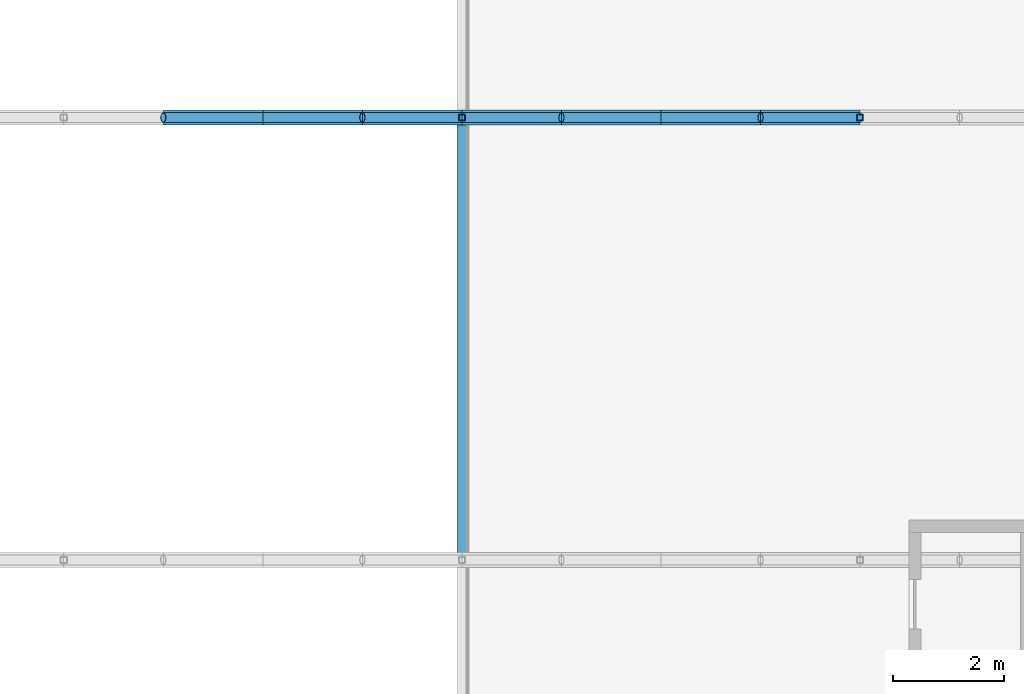
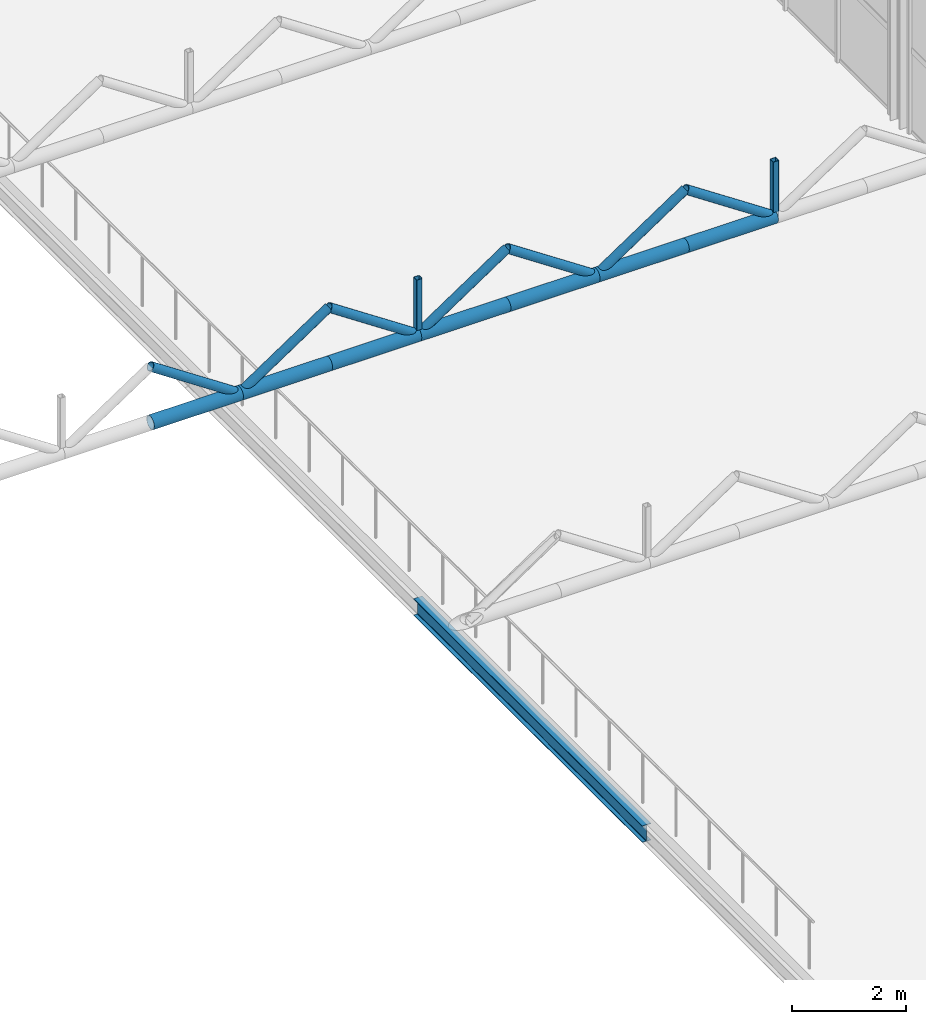
# One storey, part 88 of 153: 16 members, 1 beam.
"""IFC4 building model written with IfcOpenShell, lengths in metres."""

from ifc_helpers import new_model, si_unit, derived_unit, direction, frame, origin, origin_2d, place, context, subcontext, project, spatial, hollow_rectangle, hollow_circle, i_section, extrude, material, material_profile, profile_set, type_object, element, save


model = new_model("IFC4")

# Units and contexts
model_context = context("Model", 3, precision=1e-05, world=origin(), true_north=direction((0.0, 1.0)))
body_context = subcontext(model_context, "Body", "Model", "MODEL_VIEW")
ifc_project = project(units=[si_unit("LENGTHUNIT", "METRE"), si_unit("AREAUNIT", "SQUARE_METRE"), si_unit("VOLUMEUNIT", "CUBIC_METRE"), si_unit("PLANEANGLEUNIT", "RADIAN"), si_unit("MASSUNIT", "GRAM", prefix="KILO"), derived_unit("THERMALTRANSMITTANCEUNIT", [(si_unit("POWERUNIT", "WATT"), 1), (si_unit("LENGTHUNIT", "METRE"), -2), (si_unit("THERMODYNAMICTEMPERATUREUNIT", "KELVIN"), -1)])], contexts=[model_context])

# Site, building, storey
site_placement = place(None, origin())
site = spatial("IfcSite", under=ifc_project, at=site_placement, CompositionType="ELEMENT")
building_placement = place(site_placement, origin())
building = spatial("IfcBuilding", under=site, at=building_placement, Name="Keldorne Ridge Multi-Sports Centre", CompositionType="ELEMENT")
storey_placement = place(building_placement, frame((0.0, 0.0, 9.60009765625)))
storey = spatial("IfcBuildingStorey", under=building, at=storey_placement, Name="L02", CompositionType="ELEMENT", Elevation=9.60009765625)

# Beam
ifc_material = material(Name="Steel S355", Category="steel")
ifc_material_profile_1 = material_profile(ifc_material, i_section(OverallWidth=0.169921875, OverallDepth=0.360107421875, WebThickness=0.008056640625, FlangeThickness=0.0126953125, FilletRadius=0.01806640625, at=origin_2d()), Name="IPE 360")
ifc_profile_set_1 = profile_set([ifc_material_profile_1], Name="Steel S355")
beam_type = type_object("IfcBeamType", Name="BM-B-05", PredefinedType="BEAM", material=ifc_profile_set_1)
beam_placement = place(storey_placement, frame((27.60009765625, 82.0, -0.420166015625), z_axis=(0.0, 1.0, 0.0), x_axis=(-1.0, 0.0, 0.0)))
element("IfcBeam", 1, at=beam_placement, inside=storey, type_object=beam_type, Name="L02 climbing gallery girder 82", PredefinedType="BEAM", context=body_context, shape_type="SweptSolid", body=[
    extrude(i_section(OverallWidth=0.169921875, OverallDepth=0.360107421875, WebThickness=0.008056640625, FlangeThickness=0.0126953125, FilletRadius=0.01806640625, at=origin_2d()), origin(), (0.0, 0.0, 1.0), 8.0),
])

# Members
ifc_material_profile_2 = material_profile(ifc_material, hollow_circle(Radius=0.136474609375, WallThickness=0.012451171875, at=origin_2d()), Name="CHS 273x12.5")
ifc_profile_set_2 = profile_set([ifc_material_profile_2], Name="Steel S355")
member_type_1 = type_object("IfcMemberType", Name="MEM-TC-05", PredefinedType="CHORD", material=ifc_profile_set_2)
for number, where, z_axis, x_axis, name in (
    (2, (22.199951171875, 90.0, 5.3798828125), (1.0, 0.0, 0.0), (0.0, 1.0, 0.0), "Climbing sawtooth ROOF TRUSS ST-03 bottom chord 10"),
    (3, (24.0, 90.0, 5.3798828125), (1.0, 0.0, 0.0), (0.0, 1.0, 0.0), "Climbing sawtooth ROOF TRUSS ST-03 bottom chord 11"),
    (4, (25.800048828125, 90.0, 5.3798828125), (1.0, 0.0, 0.0), (0.0, 1.0, 0.0), "Climbing sawtooth ROOF TRUSS ST-03 bottom chord 12"),
):
    element("IfcMember", number, at=place(storey_placement, frame(where, z_axis=z_axis, x_axis=x_axis)), inside=storey, type_object=member_type_1, Name=name, PredefinedType="CHORD", context=body_context, shape_type="SweptSolid", body=[
        extrude(hollow_circle(Radius=0.136474609375, WallThickness=0.012451171875, at=origin_2d()), origin(), (0.0, 0.0, 1.0), 1.800048828125),
    ])
member_1_placement = place(storey_placement, frame((27.60009765625, 90.0, 5.3798828125), z_axis=(1.0, 0.0, 0.0), x_axis=(0.0, 1.0, 0.0)))
element("IfcMember", 5, at=member_1_placement, inside=storey, type_object=member_type_1, Name="Climbing sawtooth ROOF TRUSS ST-03 bottom chord 13", PredefinedType="CHORD", context=body_context, shape_type="SweptSolid", body=[
    extrude(hollow_circle(Radius=0.136474609375, WallThickness=0.012451171875, at=origin_2d()), origin(), (0.0, 0.0, 1.0), 1.7998046875),
])
for number, where, z_axis, x_axis, name in (
    (6, (29.39990234375, 90.0, 5.3798828125), (1.0, 0.0, 0.0), (0.0, 1.0, 0.0), "Climbing sawtooth ROOF TRUSS ST-03 bottom chord 14"),
    (7, (31.199951171875, 90.0, 5.3798828125), (1.0, 0.0, 0.0), (0.0, 1.0, 0.0), "Climbing sawtooth ROOF TRUSS ST-03 bottom chord 15"),
    (8, (33.0, 90.0, 5.3798828125), (1.0, 0.0, 0.0), (0.0, 1.0, 0.0), "Climbing sawtooth ROOF TRUSS ST-03 bottom chord 16"),
):
    element("IfcMember", number, at=place(storey_placement, frame(where, z_axis=z_axis, x_axis=x_axis)), inside=storey, type_object=member_type_1, Name=name, PredefinedType="CHORD", context=body_context, shape_type="SweptSolid", body=[
        extrude(hollow_circle(Radius=0.136474609375, WallThickness=0.012451171875, at=origin_2d()), origin(), (0.0, 0.0, 1.0), 1.800048828125),
    ])
ifc_material_profile_3 = material_profile(ifc_material, hollow_circle(Radius=0.0888671875, WallThickness=0.010009765625, at=origin_2d()), Name="CHS 177.8x10")
ifc_profile_set_3 = profile_set([ifc_material_profile_3], Name="Steel S355")
member_type_2 = type_object("IfcMemberType", Name="MEM-TD-03", PredefinedType="BRACE", material=ifc_profile_set_3)
for number, where, z_axis, x_axis, name in (
    (9, (22.199951171875, 90.0, 6.579833984375), (0.832067655982, 0.0, -0.554674152876), (0.0, 1.0, 0.0), "Climbing sawtooth web diagonal 03.10"),
    (10, (24.0, 90.0, 5.3798828125), (0.832067655982, 0.0, 0.554674152876), (0.0, 1.0, 0.0), "Climbing sawtooth web diagonal 03.11"),
    (11, (25.800048828125, 90.0, 6.579833984375), (0.832067655982, 0.0, -0.554674152876), (0.0, 1.0, 0.0), "Climbing sawtooth web diagonal 03.12"),
):
    element("IfcMember", number, at=place(storey_placement, frame(where, z_axis=z_axis, x_axis=x_axis)), inside=storey, type_object=member_type_2, Name=name, PredefinedType="BRACE", context=body_context, shape_type="SweptSolid", body=[
        extrude(hollow_circle(Radius=0.0888671875, WallThickness=0.010009765625, at=origin_2d()), origin(), (0.0, 0.0, 1.0), 2.163330078125),
    ])
member_2_placement = place(storey_placement, frame((27.60009765625, 90.0, 5.3798828125), z_axis=(0.832032930248, 0.0, 0.554726241477), x_axis=(0.0, 1.0, 0.0)))
element("IfcMember", 12, at=member_2_placement, inside=storey, type_object=member_type_2, Name="Climbing sawtooth web diagonal 03.13", PredefinedType="BRACE", context=body_context, shape_type="SweptSolid", body=[
    extrude(hollow_circle(Radius=0.0888671875, WallThickness=0.010009765625, at=origin_2d()), origin(), (0.0, 0.0, 1.0), 2.1630859375),
])
for number, where, z_axis, x_axis, name in (
    (13, (29.39990234375, 90.0, 6.579833984375), (0.832067655982, 0.0, -0.554674152876), (0.0, 1.0, 0.0), "Climbing sawtooth web diagonal 03.14"),
    (14, (31.199951171875, 90.0, 5.3798828125), (0.832067655982, 0.0, 0.554674152876), (0.0, 1.0, 0.0), "Climbing sawtooth web diagonal 03.15"),
    (15, (33.0, 90.0, 6.579833984375), (0.832067655982, 0.0, -0.554674152876), (0.0, 1.0, 0.0), "Climbing sawtooth web diagonal 03.16"),
):
    element("IfcMember", number, at=place(storey_placement, frame(where, z_axis=z_axis, x_axis=x_axis)), inside=storey, type_object=member_type_2, Name=name, PredefinedType="BRACE", context=body_context, shape_type="SweptSolid", body=[
        extrude(hollow_circle(Radius=0.0888671875, WallThickness=0.010009765625, at=origin_2d()), origin(), (0.0, 0.0, 1.0), 2.163330078125),
    ])
ifc_material_profile_4 = material_profile(ifc_material, hollow_rectangle(XDim=0.1201171875, YDim=0.1201171875, WallThickness=0.008056640625, InnerFilletRadius=0.008056640625, OuterFilletRadius=0.01611328125, at=origin_2d()), Name="SHS 120x120x8")
ifc_profile_set_4 = profile_set([ifc_material_profile_4], Name="Steel S355")
member_type_3 = type_object("IfcMemberType", Name="MEM-TV-02", PredefinedType="STRUT", material=ifc_profile_set_4)
for number, where, z_axis, x_axis, name in (
    (16, (27.60009765625, 90.0, 5.3798828125), (0.0, 0.0, 1.0), (1.0, 0.0, 0.0), "Climbing sawtooth vertical strut 03.4"),
    (17, (34.800048828125, 90.0, 5.3798828125), (0.0, 0.0, 1.0), (1.0, 0.0, 0.0), "Climbing sawtooth vertical strut 03.5"),
):
    element("IfcMember", number, at=place(storey_placement, frame(where, z_axis=z_axis, x_axis=x_axis)), inside=storey, type_object=member_type_3, Name=name, PredefinedType="STRUT", context=body_context, shape_type="SweptSolid", body=[
        extrude(hollow_rectangle(XDim=0.1201171875, YDim=0.1201171875, WallThickness=0.008056640625, InnerFilletRadius=0.008056640625, OuterFilletRadius=0.01611328125, at=origin_2d()), origin(), (0.0, 0.0, 1.0), 1.199951171875),
    ])

save(model, "model.ifc")
